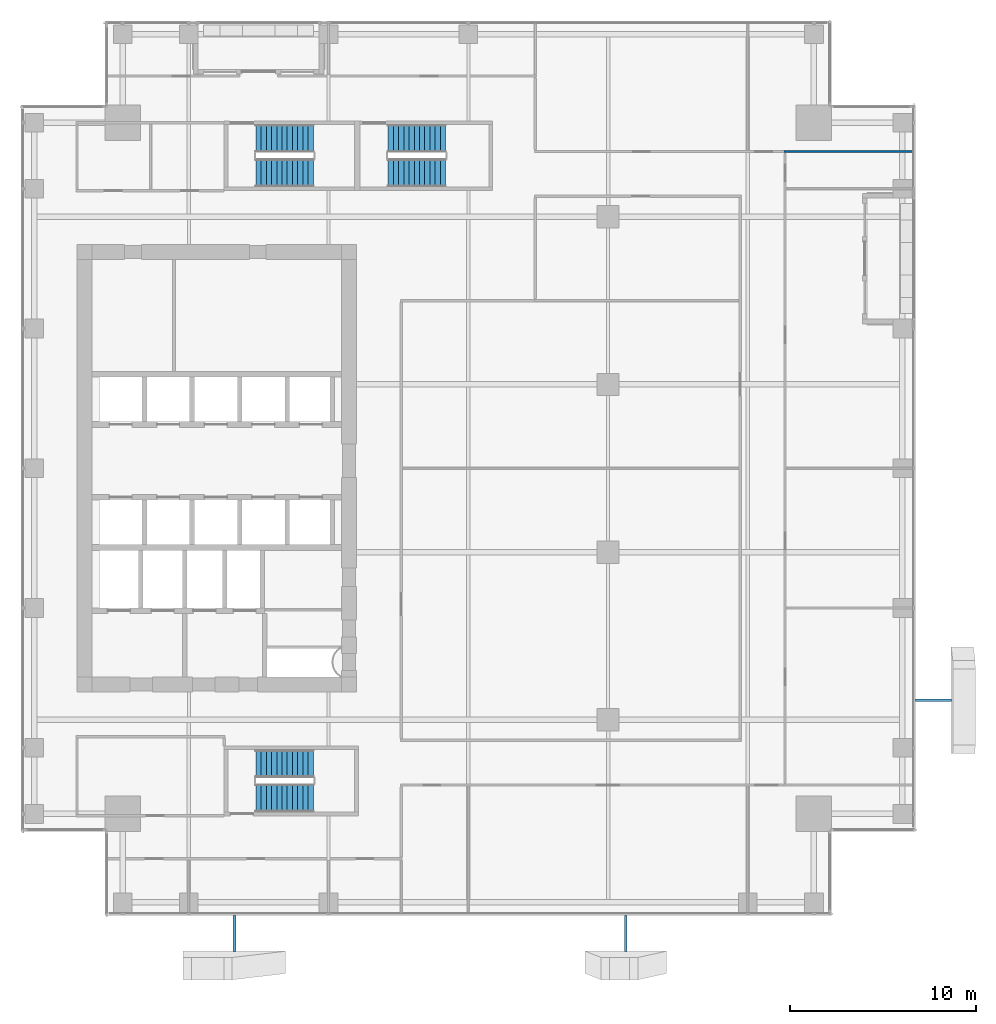
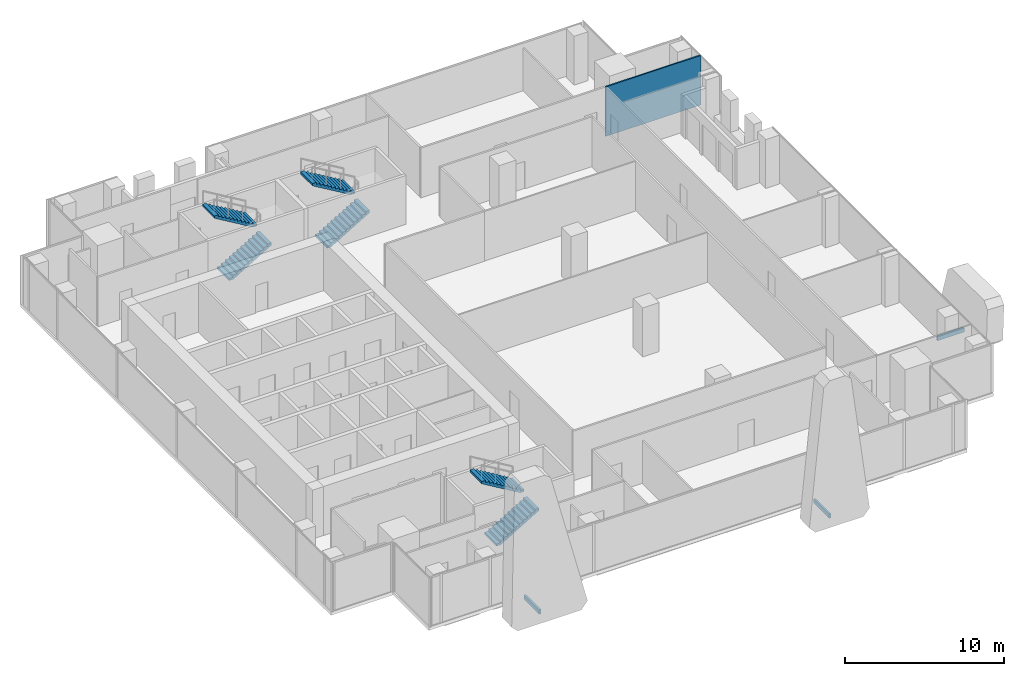
# One storey, part 35 of 38: 6 stair flights, 3 discrete accessories, 1 wall, 3 elements without a shape of their own.
"""IFC4 building model written with IfcOpenShell, lengths in metres."""

from ifc_helpers import new_model, si_unit, direction, frame, frame_2d, origin, origin_2d, place, context, subcontext, project, spatial, polyline, rectangle, outline, extrude, source, transform, mapped, material, layer, layer_set, type_object, element, aggregate, save


model = new_model("IFC4")

# Units and contexts
model_context = context("Model", 3, precision=1e-05, world=origin(), true_north=direction((0.0, 1.0)))
body_context = subcontext(model_context, "Body", "Model", "MODEL_VIEW")
ifc_project = project(units=[si_unit("LENGTHUNIT", "METRE"), si_unit("AREAUNIT", "SQUARE_METRE"), si_unit("VOLUMEUNIT", "CUBIC_METRE"), si_unit("PLANEANGLEUNIT", "RADIAN"), si_unit("MASSUNIT", "GRAM", prefix="KILO")], contexts=[model_context])

# Site, building, storey
site_placement = place(None, origin())
site = spatial("IfcSite", under=ifc_project, at=site_placement, CompositionType="ELEMENT")
building_placement = place(site_placement, origin())
building = spatial("IfcBuilding", under=site, at=building_placement, Name="Khomas Fold Tower", CompositionType="ELEMENT")
storey_placement = place(building_placement, frame((0.0, 0.0, 196.699951171875)))
storey = spatial("IfcBuildingStorey", under=building, at=storey_placement, Name="L43", CompositionType="ELEMENT", Elevation=196.699951171875)

# Wall
ifc_material_1 = material(Name="Plasterboard partition")
ifc_layer = layer(ifc_material_1, 0.10009765625)
ifc_layer_set = layer_set([ifc_layer], Name="Plasterboard partition")
wall_type = type_object("IfcWallType", Name="Partition PW1 100", PredefinedType="PARTITIONING", material=ifc_layer_set)
shared_shape_1 = source(origin(), body_context, "Body", "SweptSolid", [
    extrude(rectangle(XDim=6.900146484375, YDim=0.10009765625, at=frame_2d((3.4501953125, 0.0))), origin(), (0.0, 0.0, 1.0), 3.800048828125),
])
wall_placement = place(storey_placement, frame((43.949951171875, 44.0, 0.0), z_axis=(0.0, 0.0, 1.0), x_axis=(1.0, 0.0, 0.0)))
element("IfcWall", 1, at=wall_placement, inside=storey, type_object=wall_type, Name="Partition", PredefinedType="PARTITIONING", context=body_context, shape_type="MappedRepresentation", body=[
    mapped(shared_shape_1, transform((0.0, 0.0, 0.0))),
])

# Stair, stair flights
ifc_material_2 = material(Name="Concrete C40/50", Category="concrete")
stair_type_1 = type_object("IfcStairType", Name="Stair ST1", PredefinedType="HALF_TURN_STAIR", material=ifc_material_2)
stair_1_placement = place(storey_placement, origin())
stair_1 = element("IfcStair", 2, at=stair_1_placement, inside=storey, type_object=stair_type_1, Name="L43 ST1", PredefinedType="HALF_TURN_STAIR")
ifc_material_3 = material(Name="Concrete C40/50", Category="concrete")
stair_flight_type_1 = type_object("IfcStairFlightType", Name="Stair flight 1500 ST1", PredefinedType="STRAIGHT", material=ifc_material_3)
shared_shape_2 = source(origin(), body_context, "Body", "SweptSolid", [
    extrude(outline(polyline([(0.0, 0.0), (0.0, 0.012939453125), (0.0, 0.025634765625), (0.0, 0.03857421875), (0.0, 0.05126953125), (0.0, 0.064208984375), (0.0, 0.076904296875), (0.0, 0.08984375), (0.0, 0.1025390625), (0.0, 0.115478515625), (0.0, 0.128173828125), (0.0, 0.14111328125), (0.0, 0.15380859375), (0.0, 0.166748046875), (0.280029296875, 0.166748046875), (0.280029296875, 0.333251953125), (0.56005859375, 0.333251953125), (0.56005859375, 0.5), (0.840087890625, 0.5), (0.840087890625, 0.666748046875), (1.1201171875, 0.666748046875), (1.1201171875, 0.833251953125), (1.39990234375, 0.833251953125), (1.39990234375, 1.0), (1.679931640625, 1.0), (1.679931640625, 1.166748046875), (1.9599609375, 1.166748046875), (1.9599609375, 1.333251953125), (2.239990234375, 1.333251953125), (2.239990234375, 1.5), (2.52001953125, 1.5), (2.52001953125, 1.666748046875), (2.800048828125, 1.666748046875), (2.800048828125, 1.833251953125), (3.080078125, 1.833251953125), (3.080078125, 2.0), (3.080078125, 1.973876953125), (3.080078125, 1.947509765625), (3.080078125, 1.92138671875), (3.080078125, 1.89501953125), (3.080078125, 1.868896484375), (3.080078125, 1.842529296875), (3.080078125, 1.81640625), (3.080078125, 1.7900390625), (3.080078125, 1.763916015625), (3.080078125, 1.737548828125), (3.080078125, 1.71142578125), (3.080078125, 1.68505859375), (3.080078125, 1.658935546875), (0.29296875, 0.0), (0.0, 0.0)])), frame((0.0, 0.75, 0.0), z_axis=(0.0, -1.0, 0.0), x_axis=(1.0, 0.0, 0.0)), (0.0, 0.0, 1.0), 1.5),
])
stair_flight_1_placement = place(storey_placement, frame((15.60009765625, 42.85009765625, 0.0), z_axis=(0.0, 0.0, 1.0), x_axis=(1.0, 0.0, 0.0)))
stair_flight_1 = element("IfcStairFlight", 3, at=stair_flight_1_placement, type_object=stair_flight_type_1, Name="ST1 flight 1", NumberOfRisers=12, NumberOfTreads=11, PredefinedType="STRAIGHT", RiserHeight=0.166666667, TreadLength=0.28, context=body_context, shape_type="MappedRepresentation", body=[
    mapped(shared_shape_2, transform((0.0, 0.0, 0.0))),
])
stair_flight_2_placement = place(storey_placement, frame((18.679931640625, 44.699951171875, 2.0), z_axis=(0.0, 0.0, 1.0), x_axis=(-1.0, 0.0, 0.0)))
stair_flight_2 = element("IfcStairFlight", 4, at=stair_flight_2_placement, type_object=stair_flight_type_1, Name="ST1 flight 2", NumberOfRisers=12, NumberOfTreads=11, PredefinedType="STRAIGHT", RiserHeight=0.166666667, TreadLength=0.28, context=body_context, shape_type="MappedRepresentation", body=[
    mapped(shared_shape_2, transform((0.0, 0.0, 0.0))),
])
aggregate(stair_1, [stair_flight_1, stair_flight_2])

ifc_material_4 = material(Name="Concrete C40/50", Category="concrete")
stair_type_2 = type_object("IfcStairType", Name="Stair ST2", PredefinedType="HALF_TURN_STAIR", material=ifc_material_4)
stair_2_placement = place(storey_placement, origin())
stair_2 = element("IfcStair", 5, at=stair_2_placement, inside=storey, type_object=stair_type_2, Name="L43 ST2", PredefinedType="HALF_TURN_STAIR")
ifc_material_5 = material(Name="Concrete C40/50", Category="concrete")
stair_flight_type_2 = type_object("IfcStairFlightType", Name="Stair flight 1500 ST2", PredefinedType="STRAIGHT", material=ifc_material_5)
stair_flight_3_placement = place(storey_placement, frame((15.60009765625, 9.300048828125, 0.0), z_axis=(0.0, 0.0, 1.0), x_axis=(1.0, 0.0, 0.0)))
stair_flight_3 = element("IfcStairFlight", 6, at=stair_flight_3_placement, type_object=stair_flight_type_2, Name="ST2 flight 1", NumberOfRisers=12, NumberOfTreads=11, PredefinedType="STRAIGHT", RiserHeight=0.166666667, TreadLength=0.28, context=body_context, shape_type="MappedRepresentation", body=[
    mapped(shared_shape_2, transform((0.0, 0.0, 0.0))),
])
stair_flight_4_placement = place(storey_placement, frame((18.679931640625, 11.14990234375, 2.0), z_axis=(0.0, 0.0, 1.0), x_axis=(-1.0, 0.0, 0.0)))
stair_flight_4 = element("IfcStairFlight", 7, at=stair_flight_4_placement, type_object=stair_flight_type_2, Name="ST2 flight 2", NumberOfRisers=12, NumberOfTreads=11, PredefinedType="STRAIGHT", RiserHeight=0.166666667, TreadLength=0.28, context=body_context, shape_type="MappedRepresentation", body=[
    mapped(shared_shape_2, transform((0.0, 0.0, 0.0))),
])
aggregate(stair_2, [stair_flight_3, stair_flight_4])

ifc_material_6 = material(Name="Concrete C40/50", Category="concrete")
stair_type_3 = type_object("IfcStairType", Name="Stair ST3", PredefinedType="HALF_TURN_STAIR", material=ifc_material_6)
stair_3_placement = place(storey_placement, origin())
stair_3 = element("IfcStair", 8, at=stair_3_placement, inside=storey, type_object=stair_type_3, Name="L43 ST3", PredefinedType="HALF_TURN_STAIR")
ifc_material_7 = material(Name="Concrete C40/50", Category="concrete")
stair_flight_type_3 = type_object("IfcStairFlightType", Name="Stair flight 1500 ST3", PredefinedType="STRAIGHT", material=ifc_material_7)
stair_flight_5_placement = place(storey_placement, frame((22.699951171875, 42.85009765625, 0.0), z_axis=(0.0, 0.0, 1.0), x_axis=(1.0, 0.0, 0.0)))
stair_flight_5 = element("IfcStairFlight", 9, at=stair_flight_5_placement, type_object=stair_flight_type_3, Name="ST3 flight 1", NumberOfRisers=12, NumberOfTreads=11, PredefinedType="STRAIGHT", RiserHeight=0.166666667, TreadLength=0.28, context=body_context, shape_type="MappedRepresentation", body=[
    mapped(shared_shape_2, transform((0.0, 0.0, 0.0))),
])
stair_flight_6_placement = place(storey_placement, frame((25.780029296875, 44.699951171875, 2.0), z_axis=(0.0, 0.0, 1.0), x_axis=(-1.0, 0.0, 0.0)))
stair_flight_6 = element("IfcStairFlight", 10, at=stair_flight_6_placement, type_object=stair_flight_type_3, Name="ST3 flight 2", NumberOfRisers=12, NumberOfTreads=11, PredefinedType="STRAIGHT", RiserHeight=0.166666667, TreadLength=0.28, context=body_context, shape_type="MappedRepresentation", body=[
    mapped(shared_shape_2, transform((0.0, 0.0, 0.0))),
])
aggregate(stair_3, [stair_flight_5, stair_flight_6])

# Discrete accessories
ifc_material_8 = material(Name="Stainless steel", Category="steel")
discrete_accessory_type = type_object("IfcDiscreteAccessoryType", Name="SK-Stainless steel stone bracket", PredefinedType="BRACKET", material=ifc_material_8)
shared_shape_3 = source(origin(), body_context, "Body", "SweptSolid", [
    extrude(rectangle(XDim=1.927734375, YDim=0.14990234375, at=origin_2d()), origin(), (0.0, 0.0, 1.0), 0.31005859375),
])
for number, where, z_axis, x_axis, name in (
    (11, (14.448486328125, 2.0361328125, -0.25), (0.0, 0.0, 1.0), (0.0, -1.0, 0.0), "Stone bracket L43 SS03-1-1"),
    (12, (35.453857421875, 2.0361328125, -0.25), (0.0, 0.0, 1.0), (0.0, -1.0, 0.0), "Stone bracket L43 SS06-2-1"),
    (13, (51.9638671875, 14.555908203125, -0.25), (0.0, 0.0, 1.0), (1.0, 0.0, 0.0), "Stone bracket L43 ES03-1-1"),
):
    element("IfcDiscreteAccessory", number, at=place(storey_placement, frame(where, z_axis=z_axis, x_axis=x_axis)), inside=storey, type_object=discrete_accessory_type, Name=name, PredefinedType="BRACKET", context=body_context, shape_type="MappedRepresentation", body=[
        mapped(shared_shape_3, transform((0.0, 0.0, 0.0))),
    ])

save(model, "model.ifc")
